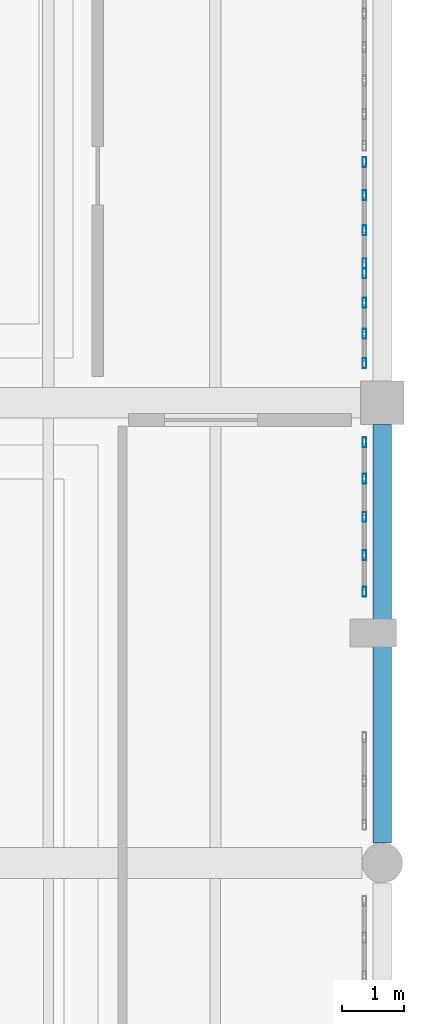
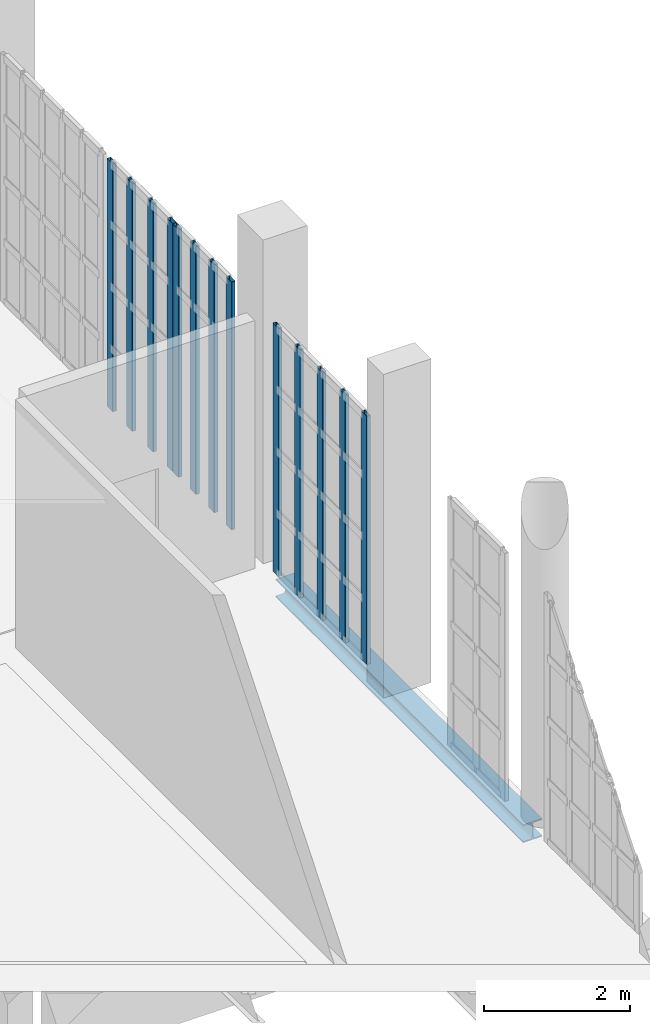
# One storey, part 287 of 372: 13 members, 1 beam, 3 elements without a shape of their own.
"""IFC4 building model written with IfcOpenShell, lengths in metres."""

from ifc_helpers import new_model, si_unit, direction, frame, origin, origin_2d, place, context, subcontext, project, spatial, hollow_rectangle, i_section, extrude, material, material_profile, profile_set, type_object, element, aggregate, save


model = new_model("IFC4")

# Units and contexts
model_context = context("Model", 3, precision=1e-05, world=origin(), true_north=direction((0.0, 1.0)))
body_context = subcontext(model_context, "Body", "Model", "MODEL_VIEW")
ifc_project = project(units=[si_unit("LENGTHUNIT", "METRE"), si_unit("AREAUNIT", "SQUARE_METRE"), si_unit("VOLUMEUNIT", "CUBIC_METRE"), si_unit("PLANEANGLEUNIT", "RADIAN"), si_unit("MASSUNIT", "GRAM", prefix="KILO")], contexts=[model_context])

# Site, building, storey
site_placement = place(None, origin())
site = spatial("IfcSite", under=ifc_project, at=site_placement, CompositionType="ELEMENT")
building_placement = place(site_placement, origin())
building = spatial("IfcBuilding", under=site, at=building_placement, Name="Kaelora Sail Theatre", CompositionType="ELEMENT")
storey_placement = place(building_placement, origin())
storey = spatial("IfcBuildingStorey", under=building, at=storey_placement, Name="L00", CompositionType="ELEMENT", Elevation=0.0)

# Curtain wall, members
ifc_material_1 = material(Name="Anodised aluminium and solar-control low-E IGU", Category="aluminium")
curtain_wall_type = type_object("IfcCurtainWallType", Name="ARC-CW-CW-FOY1", PredefinedType="NOTDEFINED", material=ifc_material_1)
curtain_wall_1_placement = place(storey_placement, origin())
curtain_wall_1 = element("IfcCurtainWall", 1, at=curtain_wall_1_placement, inside=storey, type_object=curtain_wall_type, Name="Glazed Colonnade/Courtyard Curtain Wall COLE-E-L00-09", PredefinedType="NOTDEFINED")
ifc_material_2 = material(Name="Anodised aluminium 6063-T6", Category="aluminium")
ifc_material_profile_1 = material_profile(ifc_material_2, hollow_rectangle(XDim=0.06005859375, YDim=0.159912109375, WallThickness=0.00390625, InnerFilletRadius=0.00390625, OuterFilletRadius=0.008056640625, at=origin_2d()), Name="ALU-MULL 60x160x4")
ifc_profile_set_1 = profile_set([ifc_material_profile_1], Name="Anodised aluminium 6063-T6")
member_type = type_object("IfcMemberType", Name="ARC-MEM-ML-160", PredefinedType="MULLION", material=ifc_profile_set_1)
member_1_placement = place(storey_placement, frame((163.2099609375, 50.52490234375, 0.0), z_axis=(0.0, 0.0, 1.0), x_axis=(-1.0, 0.0, 0.0)))
member_1 = element("IfcMember", 2, at=member_1_placement, type_object=member_type, Name="CW-FOY1 mullion 1", PredefinedType="MULLION", context=body_context, shape_type="SweptSolid", body=[
    extrude(hollow_rectangle(XDim=0.06005859375, YDim=0.159912109375, WallThickness=0.00390625, InnerFilletRadius=0.00390625, OuterFilletRadius=0.008056640625, at=origin_2d()), origin(), (0.0, 0.0, 1.0), 4.136962890625),
])
member_2_placement = place(storey_placement, frame((163.2099609375, 51.11376953125, 0.0), z_axis=(0.0, 0.0, 1.0), x_axis=(-1.0, 0.0, 0.0)))
member_2 = element("IfcMember", 3, at=member_2_placement, type_object=member_type, Name="CW-FOY1 mullion 2", PredefinedType="MULLION", context=body_context, shape_type="SweptSolid", body=[
    extrude(hollow_rectangle(XDim=0.06005859375, YDim=0.159912109375, WallThickness=0.00390625, InnerFilletRadius=0.00390625, OuterFilletRadius=0.008056640625, at=origin_2d()), origin(), (0.0, 0.0, 1.0), 4.136962890625),
])
member_3_placement = place(storey_placement, frame((163.2099609375, 51.732421875, 0.0), z_axis=(0.0, 0.0, 1.0), x_axis=(-1.0, 0.0, 0.0)))
member_3 = element("IfcMember", 4, at=member_3_placement, type_object=member_type, Name="CW-FOY1 mullion 3", PredefinedType="MULLION", context=body_context, shape_type="SweptSolid", body=[
    extrude(hollow_rectangle(XDim=0.06005859375, YDim=0.159912109375, WallThickness=0.00390625, InnerFilletRadius=0.00390625, OuterFilletRadius=0.008056640625, at=origin_2d()), origin(), (0.0, 0.0, 1.0), 4.136962890625),
])
member_4_placement = place(storey_placement, frame((163.2099609375, 52.351318359375, 0.0), z_axis=(0.0, 0.0, 1.0), x_axis=(-1.0, 0.0, 0.0)))
member_4 = element("IfcMember", 5, at=member_4_placement, type_object=member_type, Name="CW-FOY1 mullion 4", PredefinedType="MULLION", context=body_context, shape_type="SweptSolid", body=[
    extrude(hollow_rectangle(XDim=0.06005859375, YDim=0.159912109375, WallThickness=0.00390625, InnerFilletRadius=0.00390625, OuterFilletRadius=0.008056640625, at=origin_2d()), origin(), (0.0, 0.0, 1.0), 4.136962890625),
])
member_5_placement = place(storey_placement, frame((163.2099609375, 52.93994140625, 0.0), z_axis=(0.0, 0.0, 1.0), x_axis=(-1.0, 0.0, 0.0)))
member_5 = element("IfcMember", 6, at=member_5_placement, type_object=member_type, Name="CW-FOY1 mullion 5", PredefinedType="MULLION", context=body_context, shape_type="SweptSolid", body=[
    extrude(hollow_rectangle(XDim=0.06005859375, YDim=0.159912109375, WallThickness=0.00390625, InnerFilletRadius=0.00390625, OuterFilletRadius=0.008056640625, at=origin_2d()), origin(), (0.0, 0.0, 1.0), 4.136962890625),
])
aggregate(curtain_wall_1, [member_1, member_2, member_3, member_4, member_5])

curtain_wall_2_placement = place(storey_placement, origin())
curtain_wall_2 = element("IfcCurtainWall", 7, at=curtain_wall_2_placement, inside=storey, type_object=curtain_wall_type, Name="Glazed Colonnade/Courtyard Curtain Wall COLE-E-L00-10", PredefinedType="NOTDEFINED")
member_6_placement = place(storey_placement, frame((163.2099609375, 54.219970703125, 0.0), z_axis=(0.0, 0.0, 1.0), x_axis=(-1.0, 0.0, 0.0)))
member_6 = element("IfcMember", 8, at=member_6_placement, type_object=member_type, Name="CW-FOY1 mullion 1", PredefinedType="MULLION", context=body_context, shape_type="SweptSolid", body=[
    extrude(hollow_rectangle(XDim=0.06005859375, YDim=0.159912109375, WallThickness=0.00390625, InnerFilletRadius=0.00390625, OuterFilletRadius=0.008056640625, at=origin_2d()), origin(), (0.0, 0.0, 1.0), 4.136962890625),
])
member_7_placement = place(storey_placement, frame((163.2099609375, 54.693359375, 0.0), z_axis=(0.0, 0.0, 1.0), x_axis=(-1.0, 0.0, 0.0)))
member_7 = element("IfcMember", 9, at=member_7_placement, type_object=member_type, Name="CW-FOY1 mullion 2", PredefinedType="MULLION", context=body_context, shape_type="SweptSolid", body=[
    extrude(hollow_rectangle(XDim=0.06005859375, YDim=0.159912109375, WallThickness=0.00390625, InnerFilletRadius=0.00390625, OuterFilletRadius=0.008056640625, at=origin_2d()), origin(), (0.0, 0.0, 1.0), 4.136962890625),
])
member_8_placement = place(storey_placement, frame((163.2099609375, 55.19677734375, 0.0), z_axis=(0.0, 0.0, 1.0), x_axis=(-1.0, 0.0, 0.0)))
member_8 = element("IfcMember", 10, at=member_8_placement, type_object=member_type, Name="CW-FOY1 mullion 3", PredefinedType="MULLION", context=body_context, shape_type="SweptSolid", body=[
    extrude(hollow_rectangle(XDim=0.06005859375, YDim=0.159912109375, WallThickness=0.00390625, InnerFilletRadius=0.00390625, OuterFilletRadius=0.008056640625, at=origin_2d()), origin(), (0.0, 0.0, 1.0), 4.136962890625),
])
member_9_placement = place(storey_placement, frame((163.2099609375, 55.669921875, 0.0), z_axis=(0.0, 0.0, 1.0), x_axis=(-1.0, 0.0, 0.0)))
member_9 = element("IfcMember", 11, at=member_9_placement, type_object=member_type, Name="CW-FOY1 mullion 4", PredefinedType="MULLION", context=body_context, shape_type="SweptSolid", body=[
    extrude(hollow_rectangle(XDim=0.06005859375, YDim=0.159912109375, WallThickness=0.00390625, InnerFilletRadius=0.00390625, OuterFilletRadius=0.008056640625, at=origin_2d()), origin(), (0.0, 0.0, 1.0), 4.136962890625),
])
aggregate(curtain_wall_2, [member_6, member_7, member_8, member_9])

curtain_wall_3_placement = place(storey_placement, origin())
curtain_wall_3 = element("IfcCurtainWall", 12, at=curtain_wall_3_placement, inside=storey, type_object=curtain_wall_type, Name="Glazed Colonnade/Courtyard Curtain Wall COLE-E-L00-11", PredefinedType="NOTDEFINED")
member_10_placement = place(storey_placement, frame((163.2099609375, 55.830078125, 0.0), z_axis=(0.0, 0.0, 1.0), x_axis=(-1.0, 0.0, 0.0)))
member_10 = element("IfcMember", 13, at=member_10_placement, type_object=member_type, Name="CW-FOY1 mullion 1", PredefinedType="MULLION", context=body_context, shape_type="SweptSolid", body=[
    extrude(hollow_rectangle(XDim=0.06005859375, YDim=0.159912109375, WallThickness=0.00390625, InnerFilletRadius=0.00390625, OuterFilletRadius=0.008056640625, at=origin_2d()), origin(), (0.0, 0.0, 1.0), 4.136962890625),
])
member_11_placement = place(storey_placement, frame((163.2099609375, 56.36669921875, 0.0), z_axis=(0.0, 0.0, 1.0), x_axis=(-1.0, 0.0, 0.0)))
member_11 = element("IfcMember", 14, at=member_11_placement, type_object=member_type, Name="CW-FOY1 mullion 2", PredefinedType="MULLION", context=body_context, shape_type="SweptSolid", body=[
    extrude(hollow_rectangle(XDim=0.06005859375, YDim=0.159912109375, WallThickness=0.00390625, InnerFilletRadius=0.00390625, OuterFilletRadius=0.008056640625, at=origin_2d()), origin(), (0.0, 0.0, 1.0), 4.136962890625),
])
member_12_placement = place(storey_placement, frame((163.2099609375, 56.933349609375, 0.0), z_axis=(0.0, 0.0, 1.0), x_axis=(-1.0, 0.0, 0.0)))
member_12 = element("IfcMember", 15, at=member_12_placement, type_object=member_type, Name="CW-FOY1 mullion 3", PredefinedType="MULLION", context=body_context, shape_type="SweptSolid", body=[
    extrude(hollow_rectangle(XDim=0.06005859375, YDim=0.159912109375, WallThickness=0.00390625, InnerFilletRadius=0.00390625, OuterFilletRadius=0.008056640625, at=origin_2d()), origin(), (0.0, 0.0, 1.0), 4.136962890625),
])
member_13_placement = place(storey_placement, frame((163.2099609375, 57.469970703125, 0.0), z_axis=(0.0, 0.0, 1.0), x_axis=(-1.0, 0.0, 0.0)))
member_13 = element("IfcMember", 16, at=member_13_placement, type_object=member_type, Name="CW-FOY1 mullion 4", PredefinedType="MULLION", context=body_context, shape_type="SweptSolid", body=[
    extrude(hollow_rectangle(XDim=0.06005859375, YDim=0.159912109375, WallThickness=0.00390625, InnerFilletRadius=0.00390625, OuterFilletRadius=0.008056640625, at=origin_2d()), origin(), (0.0, 0.0, 1.0), 4.136962890625),
])
aggregate(curtain_wall_3, [member_10, member_11, member_12, member_13])

# Beam
ifc_material_3 = material(Name="Steel S355", Category="steel")
ifc_material_profile_2 = material_profile(ifc_material_3, i_section(OverallWidth=0.300048828125, OverallDepth=0.300048828125, WebThickness=0.010986328125, FlangeThickness=0.01904296875, FilletRadius=0.027099609375, at=origin_2d()), Name="HEB 300")
ifc_profile_set_2 = profile_set([ifc_material_profile_2], Name="Steel S355")
beam_type = type_object("IfcBeamType", Name="STR-BM-SP-HEB300", PredefinedType="SPANDREL", material=ifc_profile_set_2)
beam_placement = place(storey_placement, frame((163.5, 46.465087890625, -0.469970703125), z_axis=(0.0, 1.0, 0.0), x_axis=(-1.0, 0.0, 0.0)))
element("IfcBeam", 17, at=beam_placement, inside=storey, type_object=beam_type, Name="Primary beam 21 G-H (L00)", PredefinedType="SPANDREL", context=body_context, shape_type="SweptSolid", body=[
    extrude(i_section(OverallWidth=0.300048828125, OverallDepth=0.300048828125, WebThickness=0.010986328125, FlangeThickness=0.01904296875, FilletRadius=0.027099609375, at=origin_2d()), origin(), (0.0, 0.0, 1.0), 6.764892578125),
])

save(model, "model.ifc")
